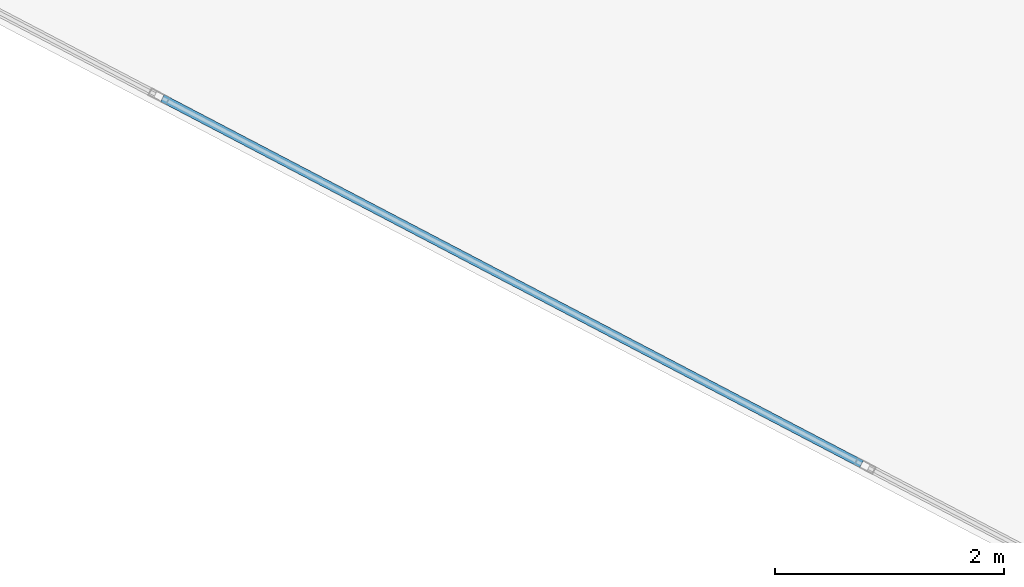
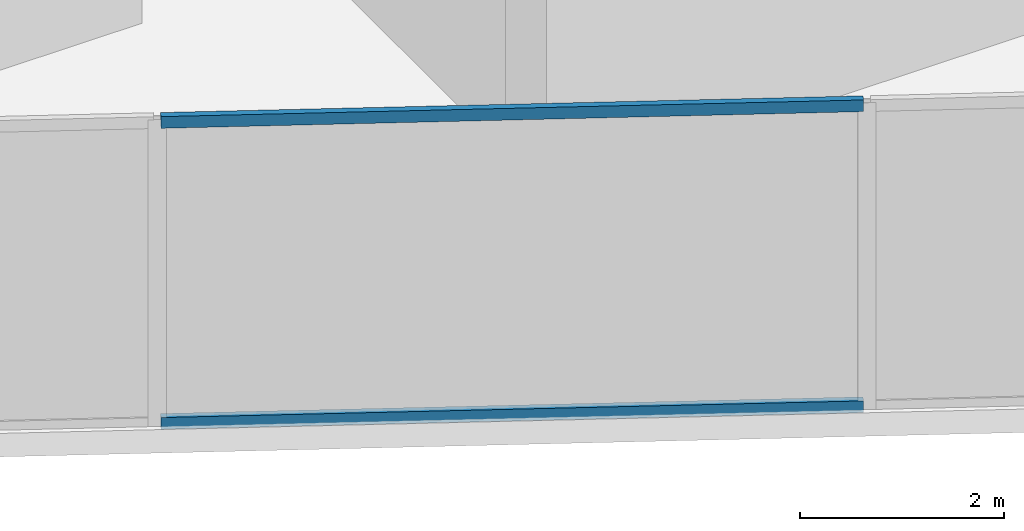
# One storey, part 4 of 27: 2 members, 1 element without a shape of its own.
"""IFC4 building model written with IfcOpenShell, lengths in metres."""

from ifc_helpers import new_model, si_unit, direction, frame, origin, origin_2d, place, context, subcontext, project, spatial, hollow_rectangle, extrude, source, transform, mapped, material, material_profile, profile_set, type_object, type_shapes, element, aggregate, save


model = new_model("IFC4")

# Units and contexts
model_context = context("Model", 3, precision=1e-05, world=origin(), true_north=direction((0.0, 1.0)))
body_context = subcontext(model_context, "Body", "Model", "MODEL_VIEW")
ifc_project = project(units=[si_unit("LENGTHUNIT", "METRE"), si_unit("AREAUNIT", "SQUARE_METRE"), si_unit("VOLUMEUNIT", "CUBIC_METRE"), si_unit("PLANEANGLEUNIT", "RADIAN"), si_unit("MASSUNIT", "GRAM", prefix="KILO")], contexts=[model_context])

# Site, building, storey
site_placement = place(None, origin())
site = spatial("IfcSite", under=ifc_project, at=site_placement, CompositionType="ELEMENT")
building_placement = place(site_placement, origin())
building = spatial("IfcBuilding", under=site, at=building_placement, Name="Krantzveldt Concourse Tower", CompositionType="ELEMENT")
storey_placement = place(building_placement, frame((0.0, 0.0, 154.10009765625)))
storey = spatial("IfcBuildingStorey", under=building, at=storey_placement, Name="L37", CompositionType="ELEMENT", Elevation=154.10009765625)

# Curtain wall, members
ifc_material = material(Name="Anodised aluminium 6063-T6", Category="aluminium")
curtain_wall_type = type_object("IfcCurtainWallType", Name="CW3", PredefinedType="USERDEFINED", material=ifc_material)
curtain_wall_placement = place(storey_placement, origin())
curtain_wall = element("IfcCurtainWall", 1, at=curtain_wall_placement, inside=storey, type_object=curtain_wall_type, Name="CW-L37-F04", ObjectType="UNITISED CURTAIN WALL", PredefinedType="USERDEFINED")
ifc_material_profile = material_profile(ifc_material, hollow_rectangle(XDim=0.070068359375, YDim=0.139892578125, WallThickness=0.0048828125, at=origin_2d()), Name="Anodised aluminium 6063-T6", Category="aluminium")
ifc_profile_set = profile_set([ifc_material_profile], Name="Anodised aluminium 6063-T6 - ALU-TRAN 140x70x5")
member_type = type_object("IfcMemberType", Name="CW-TRN-150", PredefinedType="USERDEFINED", material=ifc_profile_set)
shared_shape = source(origin(), body_context, "Body", "SweptSolid", [
    extrude(hollow_rectangle(XDim=0.070068359375, YDim=0.139892578125, WallThickness=0.0048828125, at=origin_2d()), origin(), (0.0, 0.0, 1.0), 6.89013671875),
])
type_shapes(member_type, [shared_shape])
member_1_placement = place(storey_placement, frame((22.834716796875, 8.9736328125, 0.034912109375), z_axis=(0.88600416291, -0.463677283577, 0.0), x_axis=(0.463677283577, 0.88600416291, 0.0)))
member_1 = element("IfcMember", 2, at=member_1_placement, type_object=member_type, Name="CW-Z34 transom 3.1", ObjectType="TRANSOM", PredefinedType="USERDEFINED", context=body_context, shape_type="MappedRepresentation", body=[
    mapped(shared_shape, transform((0.0, 0.0, 0.0), x_axis=(1.0, 0.0, 0.0), y_axis=(0.0, 1.0, 0.0), z_axis=(0.0, 0.0, 1.0), scale=1.0)),
])
member_2_placement = place(storey_placement, frame((22.834716796875, 8.9736328125, 3.635009765625), z_axis=(0.88600416291, -0.463677283577, 0.0), x_axis=(0.463677283577, 0.88600416291, 0.0)))
member_2 = element("IfcMember", 3, at=member_2_placement, type_object=member_type, Name="CW-Z34 transom 3.2", ObjectType="TRANSOM", PredefinedType="USERDEFINED", context=body_context, shape_type="MappedRepresentation", body=[
    mapped(shared_shape, transform((0.0, 0.0, 0.0), x_axis=(1.0, 0.0, 0.0), y_axis=(0.0, 1.0, 0.0), z_axis=(0.0, 0.0, 1.0), scale=1.0)),
])
aggregate(curtain_wall, [member_1, member_2])

save(model, "model.ifc")
